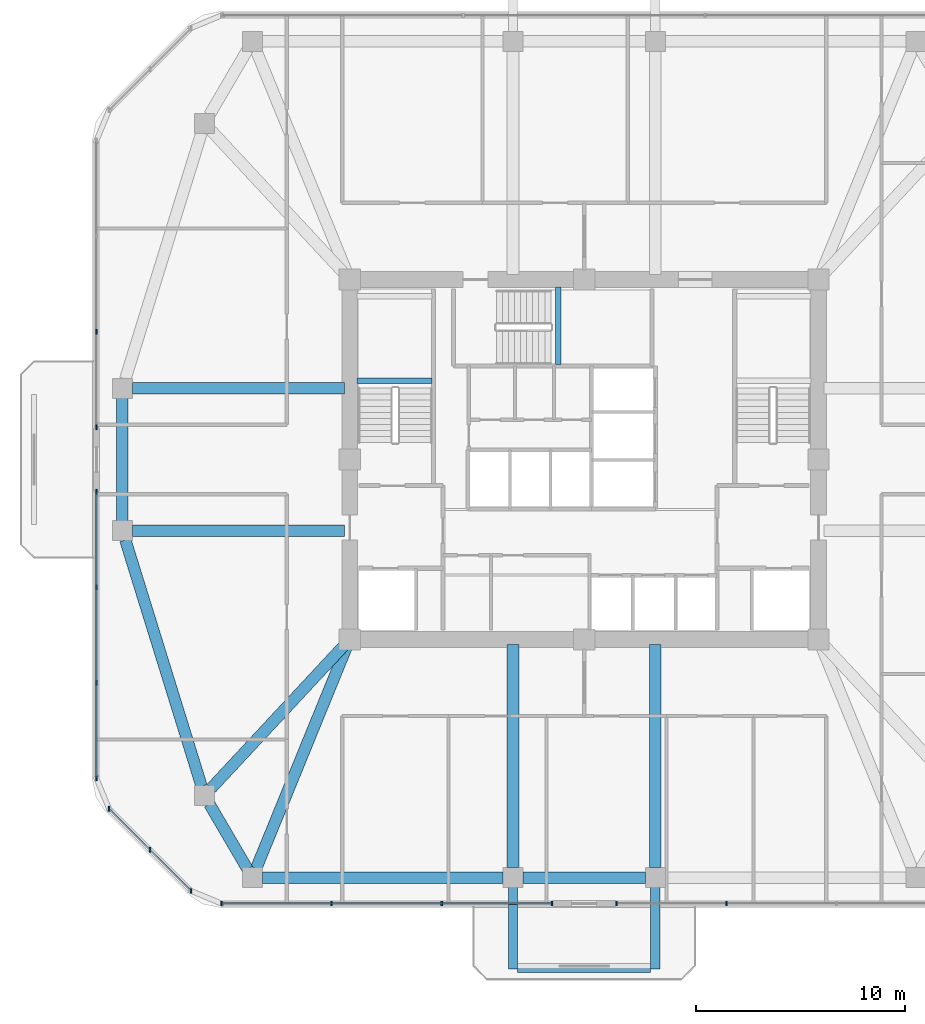
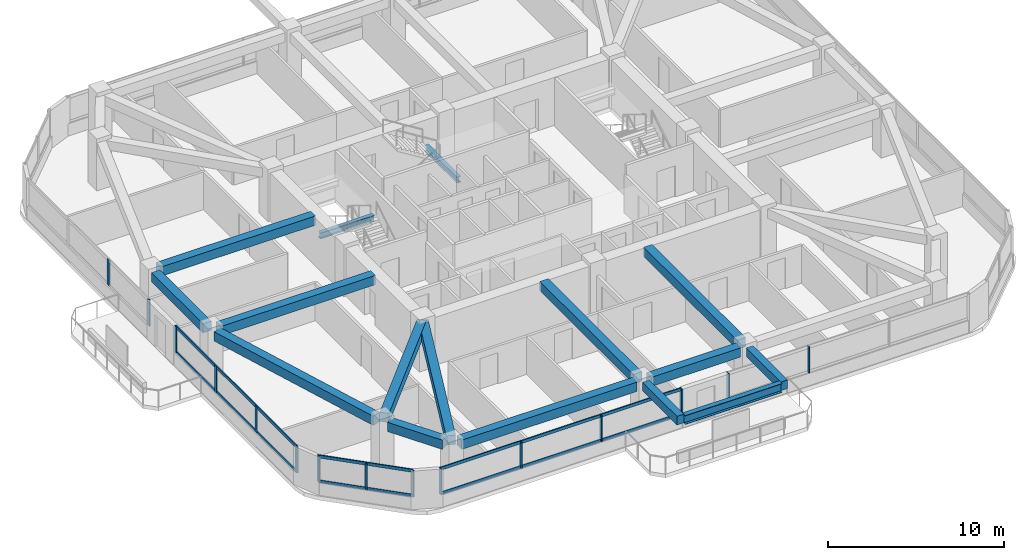
# One storey, part 2 of 12: 21 members, 16 beams, 5 elements without a shape of their own.
"""IFC4 building model written with IfcOpenShell, lengths in metres."""

from ifc_helpers import new_model, si_unit, derived_unit, direction, frame, origin, origin_2d, place, context, subcontext, project, spatial, rectangle, i_section, extrude, material, material_profile, profile_set, type_object, element, aggregate, save


model = new_model("IFC4")

# Units and contexts
model_context = context("Model", 3, precision=1e-05, world=origin(), true_north=direction((0.0, 1.0)))
body_context = subcontext(model_context, "Body", "Model", "MODEL_VIEW")
ifc_project = project(units=[si_unit("LENGTHUNIT", "METRE"), si_unit("AREAUNIT", "SQUARE_METRE"), si_unit("VOLUMEUNIT", "CUBIC_METRE"), si_unit("PLANEANGLEUNIT", "RADIAN"), si_unit("MASSUNIT", "GRAM", prefix="KILO"), derived_unit("THERMALTRANSMITTANCEUNIT", [(si_unit("POWERUNIT", "WATT"), 1), (si_unit("LENGTHUNIT", "METRE"), -2), (si_unit("THERMODYNAMICTEMPERATUREUNIT", "KELVIN"), -1)])], contexts=[model_context])

# Site, building, storey
site_placement = place(None, origin())
site = spatial("IfcSite", under=ifc_project, at=site_placement, CompositionType="ELEMENT")
building_placement = place(site_placement, origin())
building = spatial("IfcBuilding", under=site, at=building_placement, Name="Koralith Skygarden Medical Center", CompositionType="ELEMENT")
storey_placement = place(building_placement, frame((0.0, 0.0, 149.219970703125)))
storey = spatial("IfcBuildingStorey", under=building, at=storey_placement, Name="L38", CompositionType="ELEMENT", Elevation=149.219970703125)

# Curtain wall, members
ifc_material_1 = material(Name="Clear Laminated Glass", Category="glass")
curtain_wall_type = type_object("IfcCurtainWallType", Name="CW-4 Zone 3 Waist High-Wind Curtain Wall", PredefinedType="NOTDEFINED", material=ifc_material_1)
curtain_wall_1_placement = place(storey_placement, origin())
curtain_wall_1 = element("IfcCurtainWall", 1, at=curtain_wall_1_placement, inside=storey, type_object=curtain_wall_type, Name="Curtain Wall CW-L38-S-L", PredefinedType="NOTDEFINED")
ifc_material_2 = material(Name="Aluminium 6063-T6", Category="aluminium")
ifc_material_profile_1 = material_profile(ifc_material_2, rectangle(XDim=0.076904296875, YDim=0.22998046875, at=origin_2d()), Name="MUL77X230")
ifc_profile_set_1 = profile_set([ifc_material_profile_1], Name="Aluminium 6063-T6")
member_type_1 = type_object("IfcMemberType", Name="CW-4 Extruded Mullion 77x230", PredefinedType="MULLION", material=ifc_profile_set_1)
member_1_placement = place(storey_placement, frame((19.6708984375, 4.679931640625, 0.85009765625), z_axis=(0.0, 0.0, 1.0), x_axis=(1.0, 0.0, 0.0)))
member_1 = element("IfcMember", 2, at=member_1_placement, type_object=member_type_1, Name="CW-L38-S-L Mullion 1", PredefinedType="MULLION", context=body_context, shape_type="SweptSolid", body=[
    extrude(rectangle(XDim=0.076904296875, YDim=0.22998046875, at=origin_2d()), origin(), (0.0, 0.0, 1.0), 1.81982421875),
])
member_2_placement = place(storey_placement, frame((24.93408203125, 4.679931640625, 0.85009765625), z_axis=(0.0, 0.0, 1.0), x_axis=(1.0, 0.0, 0.0)))
member_2 = element("IfcMember", 3, at=member_2_placement, type_object=member_type_1, Name="CW-L38-S-L Mullion 2", PredefinedType="MULLION", context=body_context, shape_type="SweptSolid", body=[
    extrude(rectangle(XDim=0.076904296875, YDim=0.22998046875, at=origin_2d()), origin(), (0.0, 0.0, 1.0), 1.81982421875),
])
member_3_placement = place(storey_placement, frame((30.196044921875, 4.679931640625, 0.85009765625), z_axis=(0.0, 0.0, 1.0), x_axis=(1.0, 0.0, 0.0)))
member_3 = element("IfcMember", 4, at=member_3_placement, type_object=member_type_1, Name="CW-L38-S-L Mullion 3", PredefinedType="MULLION", context=body_context, shape_type="SweptSolid", body=[
    extrude(rectangle(XDim=0.076904296875, YDim=0.22998046875, at=origin_2d()), origin(), (0.0, 0.0, 1.0), 1.81982421875),
])
member_4_placement = place(storey_placement, frame((35.458984375, 4.679931640625, 0.85009765625), z_axis=(0.0, 0.0, 1.0), x_axis=(1.0, 0.0, 0.0)))
member_4 = element("IfcMember", 5, at=member_4_placement, type_object=member_type_1, Name="CW-L38-S-L Mullion 4", PredefinedType="MULLION", context=body_context, shape_type="SweptSolid", body=[
    extrude(rectangle(XDim=0.076904296875, YDim=0.22998046875, at=origin_2d()), origin(), (0.0, 0.0, 1.0), 1.81982421875),
])

curtain_wall_2_placement = place(storey_placement, origin())
curtain_wall_2 = element("IfcCurtainWall", 6, at=curtain_wall_2_placement, inside=storey, type_object=curtain_wall_type, Name="Curtain Wall CW-L38-S-R", PredefinedType="NOTDEFINED")
member_5_placement = place(storey_placement, frame((38.5390625, 4.679931640625, 0.85009765625), z_axis=(0.0, 0.0, 1.0), x_axis=(1.0, 0.0, 0.0)))
member_5 = element("IfcMember", 7, at=member_5_placement, type_object=member_type_1, Name="CW-L38-S-R Mullion 1", PredefinedType="MULLION", context=body_context, shape_type="SweptSolid", body=[
    extrude(rectangle(XDim=0.076904296875, YDim=0.22998046875, at=origin_2d()), origin(), (0.0, 0.0, 1.0), 1.81982421875),
])
member_6_placement = place(storey_placement, frame((43.802001953125, 4.679931640625, 0.85009765625), z_axis=(0.0, 0.0, 1.0), x_axis=(1.0, 0.0, 0.0)))
member_6 = element("IfcMember", 8, at=member_6_placement, type_object=member_type_1, Name="CW-L38-S-R Mullion 2", PredefinedType="MULLION", context=body_context, shape_type="SweptSolid", body=[
    extrude(rectangle(XDim=0.076904296875, YDim=0.22998046875, at=origin_2d()), origin(), (0.0, 0.0, 1.0), 1.81982421875),
])
aggregate(curtain_wall_2, [member_5, member_6])

curtain_wall_3_placement = place(storey_placement, origin())
curtain_wall_3 = element("IfcCurtainWall", 9, at=curtain_wall_3_placement, inside=storey, type_object=curtain_wall_type, Name="Curtain Wall CW-L38-W-L", PredefinedType="NOTDEFINED")
member_7_placement = place(storey_placement, frame((13.696044921875, 32.008056640625, 0.85009765625), z_axis=(0.0, 0.0, 1.0), x_axis=(1.0, 0.0, 0.0)))
member_7 = element("IfcMember", 10, at=member_7_placement, type_object=member_type_1, Name="CW-L38-W-L Mullion 3", PredefinedType="MULLION", context=body_context, shape_type="SweptSolid", body=[
    extrude(rectangle(XDim=0.076904296875, YDim=0.22998046875, at=origin_2d()), origin(), (0.0, 0.0, 1.0), 1.81982421875),
])
member_8_placement = place(storey_placement, frame((13.696044921875, 27.43994140625, 0.85009765625), z_axis=(0.0, 0.0, 1.0), x_axis=(1.0, 0.0, 0.0)))
member_8 = element("IfcMember", 11, at=member_8_placement, type_object=member_type_1, Name="CW-L38-W-L Mullion 4", PredefinedType="MULLION", context=body_context, shape_type="SweptSolid", body=[
    extrude(rectangle(XDim=0.076904296875, YDim=0.22998046875, at=origin_2d()), origin(), (0.0, 0.0, 1.0), 1.81982421875),
])
aggregate(curtain_wall_3, [member_7, member_8])

curtain_wall_4_placement = place(storey_placement, origin())
curtain_wall_4 = element("IfcCurtainWall", 12, at=curtain_wall_4_placement, inside=storey, type_object=curtain_wall_type, Name="Curtain Wall CW-L38-W-R", PredefinedType="NOTDEFINED")
member_9_placement = place(storey_placement, frame((13.696044921875, 24.360107421875, 0.85009765625), z_axis=(0.0, 0.0, 1.0), x_axis=(1.0, 0.0, 0.0)))
member_9 = element("IfcMember", 13, at=member_9_placement, type_object=member_type_1, Name="CW-L38-W-R Mullion 1", PredefinedType="MULLION", context=body_context, shape_type="SweptSolid", body=[
    extrude(rectangle(XDim=0.076904296875, YDim=0.22998046875, at=origin_2d()), origin(), (0.0, 0.0, 1.0), 1.81982421875),
])
member_10_placement = place(storey_placement, frame((13.696044921875, 19.7919921875, 0.85009765625), z_axis=(0.0, 0.0, 1.0), x_axis=(1.0, 0.0, 0.0)))
member_10 = element("IfcMember", 14, at=member_10_placement, type_object=member_type_1, Name="CW-L38-W-R Mullion 2", PredefinedType="MULLION", context=body_context, shape_type="SweptSolid", body=[
    extrude(rectangle(XDim=0.076904296875, YDim=0.22998046875, at=origin_2d()), origin(), (0.0, 0.0, 1.0), 1.81982421875),
])
member_11_placement = place(storey_placement, frame((13.696044921875, 15.222900390625, 0.85009765625), z_axis=(0.0, 0.0, 1.0), x_axis=(1.0, 0.0, 0.0)))
member_11 = element("IfcMember", 15, at=member_11_placement, type_object=member_type_1, Name="CW-L38-W-R Mullion 3", PredefinedType="MULLION", context=body_context, shape_type="SweptSolid", body=[
    extrude(rectangle(XDim=0.076904296875, YDim=0.22998046875, at=origin_2d()), origin(), (0.0, 0.0, 1.0), 1.81982421875),
])
member_12_placement = place(storey_placement, frame((13.696044921875, 10.655029296875, 0.85009765625), z_axis=(0.0, 0.0, 1.0), x_axis=(1.0, 0.0, 0.0)))
member_12 = element("IfcMember", 16, at=member_12_placement, type_object=member_type_1, Name="CW-L38-W-R Mullion 4", PredefinedType="MULLION", context=body_context, shape_type="SweptSolid", body=[
    extrude(rectangle(XDim=0.076904296875, YDim=0.22998046875, at=origin_2d()), origin(), (0.0, 0.0, 1.0), 1.81982421875),
])

curtain_wall_5_placement = place(storey_placement, origin())
curtain_wall_5 = element("IfcCurtainWall", 17, at=curtain_wall_5_placement, inside=storey, type_object=curtain_wall_type, Name="Curtain Wall CW-L38-SW", PredefinedType="NOTDEFINED")
member_13_placement = place(storey_placement, frame((14.297119140625, 9.2041015625, 0.85009765625), z_axis=(0.0, 0.0, 1.0), x_axis=(1.0, 0.0, 0.0)))
member_13 = element("IfcMember", 18, at=member_13_placement, type_object=member_type_1, Name="CW-L38-SW Mullion 1", PredefinedType="MULLION", context=body_context, shape_type="SweptSolid", body=[
    extrude(rectangle(XDim=0.076904296875, YDim=0.22998046875, at=origin_2d()), origin(), (0.0, 0.0, 1.0), 1.81982421875),
])
member_14_placement = place(storey_placement, frame((16.258056640625, 7.241943359375, 0.85009765625), z_axis=(0.0, 0.0, 1.0), x_axis=(1.0, 0.0, 0.0)))
member_14 = element("IfcMember", 19, at=member_14_placement, type_object=member_type_1, Name="CW-L38-SW Mullion 2", PredefinedType="MULLION", context=body_context, shape_type="SweptSolid", body=[
    extrude(rectangle(XDim=0.076904296875, YDim=0.22998046875, at=origin_2d()), origin(), (0.0, 0.0, 1.0), 1.81982421875),
])
member_15_placement = place(storey_placement, frame((18.219970703125, 5.281005859375, 0.85009765625), z_axis=(0.0, 0.0, 1.0), x_axis=(1.0, 0.0, 0.0)))
member_15 = element("IfcMember", 20, at=member_15_placement, type_object=member_type_1, Name="CW-L38-SW Mullion 3", PredefinedType="MULLION", context=body_context, shape_type="SweptSolid", body=[
    extrude(rectangle(XDim=0.076904296875, YDim=0.22998046875, at=origin_2d()), origin(), (0.0, 0.0, 1.0), 1.81982421875),
])

# Member
ifc_material_profile_2 = material_profile(ifc_material_2, rectangle(XDim=0.072021484375, YDim=0.20703125, at=origin_2d()), Name="TRN72X207")
ifc_profile_set_2 = profile_set([ifc_material_profile_2], Name="Aluminium 6063-T6")
member_type_2 = type_object("IfcMemberType", Name="CW-4 Thermal Transom 72x207", PredefinedType="USERDEFINED", material=ifc_profile_set_2)
member_16_placement = place(storey_placement, frame((19.6708984375, 4.679931640625, 0.900146484375), z_axis=(1.0, 0.0, 0.0), x_axis=(0.0, 1.0, 0.0)))
member_16 = element("IfcMember", 21, at=member_16_placement, type_object=member_type_2, Name="CW-L38-S-L Transom 1", ObjectType="TRANSOM", PredefinedType="USERDEFINED", context=body_context, shape_type="SweptSolid", body=[
    extrude(rectangle(XDim=0.072021484375, YDim=0.20703125, at=origin_2d()), origin(), (0.0, 0.0, 1.0), 15.7880859375),
])

member_17_placement = place(storey_placement, frame((19.6708984375, 4.679931640625, 2.6201171875), z_axis=(1.0, 0.0, 0.0), x_axis=(0.0, 1.0, 0.0)))
member_17 = element("IfcMember", 22, at=member_17_placement, type_object=member_type_2, Name="CW-L38-S-L Transom 2", ObjectType="TRANSOM", PredefinedType="USERDEFINED", context=body_context, shape_type="SweptSolid", body=[
    extrude(rectangle(XDim=0.072021484375, YDim=0.20703125, at=origin_2d()), origin(), (0.0, 0.0, 1.0), 15.7880859375),
])

aggregate(curtain_wall_1, [member_1, member_2, member_3, member_4, member_16, member_17])

member_18_placement = place(storey_placement, frame((13.696044921875, 24.360107421875, 0.900146484375), z_axis=(0.0, -1.0, 0.0), x_axis=(1.0, 0.0, 0.0)))
member_18 = element("IfcMember", 23, at=member_18_placement, type_object=member_type_2, Name="CW-L38-W-R Transom 1", ObjectType="TRANSOM", PredefinedType="USERDEFINED", context=body_context, shape_type="SweptSolid", body=[
    extrude(rectangle(XDim=0.072021484375, YDim=0.20703125, at=origin_2d()), origin(), (0.0, 0.0, 1.0), 13.705078125),
])

member_19_placement = place(storey_placement, frame((13.696044921875, 24.360107421875, 2.6201171875), z_axis=(0.0, -1.0, 0.0), x_axis=(1.0, 0.0, 0.0)))
member_19 = element("IfcMember", 24, at=member_19_placement, type_object=member_type_2, Name="CW-L38-W-R Transom 2", ObjectType="TRANSOM", PredefinedType="USERDEFINED", context=body_context, shape_type="SweptSolid", body=[
    extrude(rectangle(XDim=0.072021484375, YDim=0.20703125, at=origin_2d()), origin(), (0.0, 0.0, 1.0), 13.705078125),
])

aggregate(curtain_wall_4, [member_9, member_10, member_11, member_12, member_18, member_19])

member_20_placement = place(storey_placement, frame((14.297119140625, 9.2041015625, 0.900146484375), z_axis=(0.707084777957, -0.707128783731, 0.0), x_axis=(0.707128783731, 0.707084777957, 0.0)))
member_20 = element("IfcMember", 25, at=member_20_placement, type_object=member_type_2, Name="CW-L38-SW Transom 1", ObjectType="TRANSOM", PredefinedType="USERDEFINED", context=body_context, shape_type="SweptSolid", body=[
    extrude(rectangle(XDim=0.072021484375, YDim=0.20703125, at=origin_2d()), origin(), (0.0, 0.0, 1.0), 5.5478515625),
])

member_21_placement = place(storey_placement, frame((14.297119140625, 9.2041015625, 2.6201171875), z_axis=(0.707084777957, -0.707128783731, 0.0), x_axis=(0.707128783731, 0.707084777957, 0.0)))
member_21 = element("IfcMember", 26, at=member_21_placement, type_object=member_type_2, Name="CW-L38-SW Transom 2", ObjectType="TRANSOM", PredefinedType="USERDEFINED", context=body_context, shape_type="SweptSolid", body=[
    extrude(rectangle(XDim=0.072021484375, YDim=0.20703125, at=origin_2d()), origin(), (0.0, 0.0, 1.0), 5.5478515625),
])

aggregate(curtain_wall_5, [member_13, member_14, member_15, member_20, member_21])

# Beams
ifc_material_3 = material(Name="Steel ASTM A992 Grade 50", Category="steel")
ifc_material_profile_3 = material_profile(ifc_material_3, i_section(OverallWidth=0.326904296875, OverallDepth=0.6220703125, WebThickness=0.015380859375, FlangeThickness=0.0244140625, at=origin_2d()), Name="W24X131")
ifc_profile_set_3 = profile_set([ifc_material_profile_3], Name="Steel ASTM A992 Grade 50")
beam_type_1 = type_object("IfcBeamType", Name="Cantilever Tie Beam W24X131", PredefinedType="BEAM", material=ifc_profile_set_3)
beam_1_placement = place(storey_placement, frame((33.820068359375, 1.5400390625, 3.029052734375), z_axis=(1.0, 0.0, 0.0), x_axis=(0.0, 1.0, 0.0)))
element("IfcBeam", 27, at=beam_1_placement, inside=storey, type_object=beam_type_1, Name="L39 S Balcony Tip Tie Beam", PredefinedType="BEAM", context=body_context, shape_type="SweptSolid", body=[
    extrude(i_section(OverallWidth=0.326904296875, OverallDepth=0.6220703125, WebThickness=0.015380859375, FlangeThickness=0.0244140625, at=origin_2d()), origin(), (0.0, 0.0, 1.0), 6.35986328125),
])
ifc_material_profile_4 = material_profile(ifc_material_3, i_section(OverallWidth=0.260009765625, OverallDepth=0.4150390625, WebThickness=0.010009765625, FlangeThickness=0.016845703125, at=origin_2d()), Name="W16X67")
ifc_profile_set_4 = profile_set([ifc_material_profile_4], Name="Steel ASTM A992 Grade 50")
beam_type_2 = type_object("IfcBeamType", Name="Clinical Floor Joist W16X67", PredefinedType="JOIST", material=ifc_profile_set_4)
beam_2_placement = place(storey_placement, frame((26.155029296875, 29.659912109375, 1.39306640625), z_axis=(1.0, 0.0, 0.0), x_axis=(0.0, 1.0, 0.0)))
element("IfcBeam", 28, at=beam_2_placement, inside=storey, type_object=beam_type_2, Name="L38 Stair ST1 Half-Landing Support Beam 1A", PredefinedType="JOIST", context=body_context, shape_type="SweptSolid", body=[
    extrude(i_section(OverallWidth=0.260009765625, OverallDepth=0.4150390625, WebThickness=0.010009765625, FlangeThickness=0.016845703125, at=origin_2d()), origin(), (0.0, 0.0, 1.0), 3.56494140625),
])
beam_3_placement = place(storey_placement, frame((35.760009765625, 30.43994140625, 1.39306640625), z_axis=(0.0, 1.0, 0.0), x_axis=(-1.0, 0.0, 0.0)))
element("IfcBeam", 29, at=beam_3_placement, inside=storey, type_object=beam_type_2, Name="L38 Stair ST3 Half-Landing Support Beam 1A", PredefinedType="JOIST", context=body_context, shape_type="SweptSolid", body=[
    extrude(i_section(OverallWidth=0.260009765625, OverallDepth=0.4150390625, WebThickness=0.010009765625, FlangeThickness=0.016845703125, at=origin_2d()), origin(), (0.0, 0.0, 1.0), 3.705078125),
])
ifc_material_4 = material(Name="Concrete C45/55", Category="concrete")
ifc_material_profile_5 = material_profile(ifc_material_4, rectangle(XDim=0.449951171875, YDim=0.60009765625, at=origin_2d()), Name="RCB450X600")
ifc_profile_set_5 = profile_set([ifc_material_profile_5], Name="Concrete C45/55")
beam_type_3 = type_object("IfcBeamType", Name="Planted Balcony Cantilever Beam RCB450X600", PredefinedType="BEAM", material=ifc_profile_set_5)
for number, where, z_axis, x_axis, name in (
    (30, (33.60009765625, 5.4599609375, 3.0400390625), (0.0, -1.0, 0.0), (1.0, 0.0, 0.0), "L39 S Balcony Cantilever Beam A"),
    (31, (40.39990234375, 5.4599609375, 3.0400390625), (0.0, -1.0, 0.0), (1.0, 0.0, 0.0), "L39 S Balcony Cantilever Beam B"),
):
    element("IfcBeam", number, at=place(storey_placement, frame(where, z_axis=z_axis, x_axis=x_axis)), inside=storey, type_object=beam_type_3, Name=name, PredefinedType="BEAM", context=body_context, shape_type="SweptSolid", body=[
        extrude(rectangle(XDim=0.449951171875, YDim=0.60009765625, at=origin_2d()), origin(), (0.0, 0.0, 1.0), 3.919921875),
    ])
ifc_material_profile_6 = material_profile(ifc_material_4, rectangle(XDim=0.550048828125, YDim=0.639892578125, at=origin_2d()), Name="RCB550X640")
ifc_profile_set_6 = profile_set([ifc_material_profile_6], Name="Concrete C45/55")
beam_type_4 = type_object("IfcBeamType", Name="Radial Collector Beam RCB550X640", PredefinedType="BEAM", material=ifc_profile_set_6)
beam_4_placement = place(storey_placement, frame((25.550048828125, 22.5, 3.0), z_axis=(-1.0, 0.0, 0.0), x_axis=(0.0, -1.0, 0.0)))
element("IfcBeam", 32, at=beam_4_placement, inside=storey, type_object=beam_type_4, Name="L38 Radial Collector Beam RB-01", PredefinedType="BEAM", context=body_context, shape_type="SweptSolid", body=[
    extrude(rectangle(XDim=0.550048828125, YDim=0.639892578125, at=origin_2d()), origin(), (0.0, 0.0, 1.0), 10.14404296875),
])
beam_5_placement = place(storey_placement, frame((25.6298828125, 17.116943359375, 3.0), z_axis=(-0.681369011591, -0.731940072713, 0.0), x_axis=(0.731940072713, -0.681369011591, 0.0)))
element("IfcBeam", 33, at=beam_5_placement, inside=storey, type_object=beam_type_4, Name="L38 Radial Collector Beam RB-02", PredefinedType="BEAM", context=body_context, shape_type="SweptSolid", body=[
    extrude(rectangle(XDim=0.550048828125, YDim=0.639892578125, at=origin_2d()), origin(), (0.0, 0.0, 1.0), 9.471923828125),
])
beam_6_placement = place(storey_placement, frame((25.705078125, 17.069091796875, 3.0), z_axis=(-0.378344544364, -0.92566484526, 0.0), x_axis=(0.92566484526, -0.378344544364, 0.0)))
element("IfcBeam", 34, at=beam_6_placement, inside=storey, type_object=beam_type_4, Name="L38 Radial Collector Beam RB-03", PredefinedType="BEAM", context=body_context, shape_type="SweptSolid", body=[
    extrude(rectangle(XDim=0.550048828125, YDim=0.639892578125, at=origin_2d()), origin(), (0.0, 0.0, 1.0), 11.574462890625),
])
for number, where, z_axis, x_axis, name in (
    (35, (33.60009765625, 17.050048828125, 3.0), (0.0, -1.0, 0.0), (1.0, 0.0, 0.0), "L38 Radial Collector Beam RB-04"),
    (36, (40.39990234375, 17.050048828125, 3.0), (0.0, -1.0, 0.0), (1.0, 0.0, 0.0), "L38 Radial Collector Beam RB-05"),
):
    element("IfcBeam", number, at=place(storey_placement, frame(where, z_axis=z_axis, x_axis=x_axis)), inside=storey, type_object=beam_type_4, Name=name, PredefinedType="BEAM", context=body_context, shape_type="SweptSolid", body=[
        extrude(rectangle(XDim=0.550048828125, YDim=0.639892578125, at=origin_2d()), origin(), (0.0, 0.0, 1.0), 10.66015625),
    ])
beam_7_placement = place(storey_placement, frame((25.550048828125, 29.300048828125, 3.0), z_axis=(-1.0, 0.0, 0.0), x_axis=(0.0, -1.0, 0.0)))
element("IfcBeam", 37, at=beam_7_placement, inside=storey, type_object=beam_type_4, Name="L38 Radial Collector Beam RB-16", PredefinedType="BEAM", context=body_context, shape_type="SweptSolid", body=[
    extrude(rectangle(XDim=0.550048828125, YDim=0.639892578125, at=origin_2d()), origin(), (0.0, 0.0, 1.0), 10.14404296875),
])
ifc_material_profile_7 = material_profile(ifc_material_4, rectangle(XDim=0.550048828125, YDim=0.639892578125, at=origin_2d()), Name="RCB550X640")
ifc_profile_set_7 = profile_set([ifc_material_profile_7], Name="Concrete C45/55")
beam_type_5 = type_object("IfcBeamType", Name="Zone 2-3 Spandrel Beam RCB550X640", PredefinedType="SPANDREL", material=ifc_profile_set_7)
beam_8_placement = place(storey_placement, frame((15.074951171875, 22.051025390625, 3.0), z_axis=(0.295793585147, -0.955251880389, 0.0), x_axis=(0.955251880389, 0.295793585147, 0.0)))
element("IfcBeam", 38, at=beam_8_placement, inside=storey, type_object=beam_type_5, Name="L38 Perimeter Spandrel Beam SP-01", PredefinedType="SPANDREL", context=body_context, shape_type="SweptSolid", body=[
    extrude(rectangle(XDim=0.550048828125, YDim=0.639892578125, at=origin_2d()), origin(), (0.0, 0.0, 1.0), 12.31298828125),
])
beam_9_placement = place(storey_placement, frame((19.093017578125, 9.43408203125, 3.0), z_axis=(0.504861391295, -0.863200426077, 0.0), x_axis=(0.863200426077, 0.504861391295, 0.0)))
element("IfcBeam", 39, at=beam_9_placement, inside=storey, type_object=beam_type_5, Name="L38 Perimeter Spandrel Beam SP-02", PredefinedType="SPANDREL", context=body_context, shape_type="SweptSolid", body=[
    extrude(rectangle(XDim=0.550048828125, YDim=0.639892578125, at=origin_2d()), origin(), (0.0, 0.0, 1.0), 3.600830078125),
])
beam_10_placement = place(storey_placement, frame((21.617919921875, 5.919921875, 3.0), z_axis=(1.0, 0.0, 0.0), x_axis=(0.0, 1.0, 0.0)))
element("IfcBeam", 40, at=beam_10_placement, inside=storey, type_object=beam_type_5, Name="L38 Perimeter Spandrel Beam SP-03", PredefinedType="SPANDREL", context=body_context, shape_type="SweptSolid", body=[
    extrude(rectangle(XDim=0.550048828125, YDim=0.639892578125, at=origin_2d()), origin(), (0.0, 0.0, 1.0), 11.511962890625),
])
beam_11_placement = place(storey_placement, frame((34.070068359375, 5.919921875, 3.0), z_axis=(1.0, 0.0, 0.0), x_axis=(0.0, 1.0, 0.0)))
element("IfcBeam", 41, at=beam_11_placement, inside=storey, type_object=beam_type_5, Name="L38 Perimeter Spandrel Beam SP-04", PredefinedType="SPANDREL", context=body_context, shape_type="SweptSolid", body=[
    extrude(rectangle(XDim=0.550048828125, YDim=0.639892578125, at=origin_2d()), origin(), (0.0, 0.0, 1.0), 5.85986328125),
])
beam_12_placement = place(storey_placement, frame((14.93603515625, 28.830078125, 3.0), z_axis=(0.0, -1.0, 0.0), x_axis=(1.0, 0.0, 0.0)))
element("IfcBeam", 42, at=beam_12_placement, inside=storey, type_object=beam_type_5, Name="L38 Perimeter Spandrel Beam SP-16", PredefinedType="SPANDREL", context=body_context, shape_type="SweptSolid", body=[
    extrude(rectangle(XDim=0.550048828125, YDim=0.639892578125, at=origin_2d()), origin(), (0.0, 0.0, 1.0), 5.860107421875),
])

save(model, "model.ifc")
